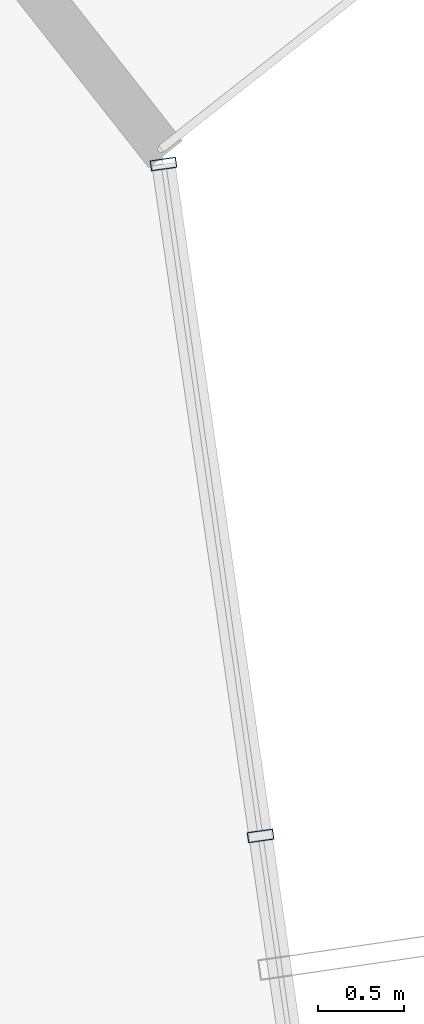
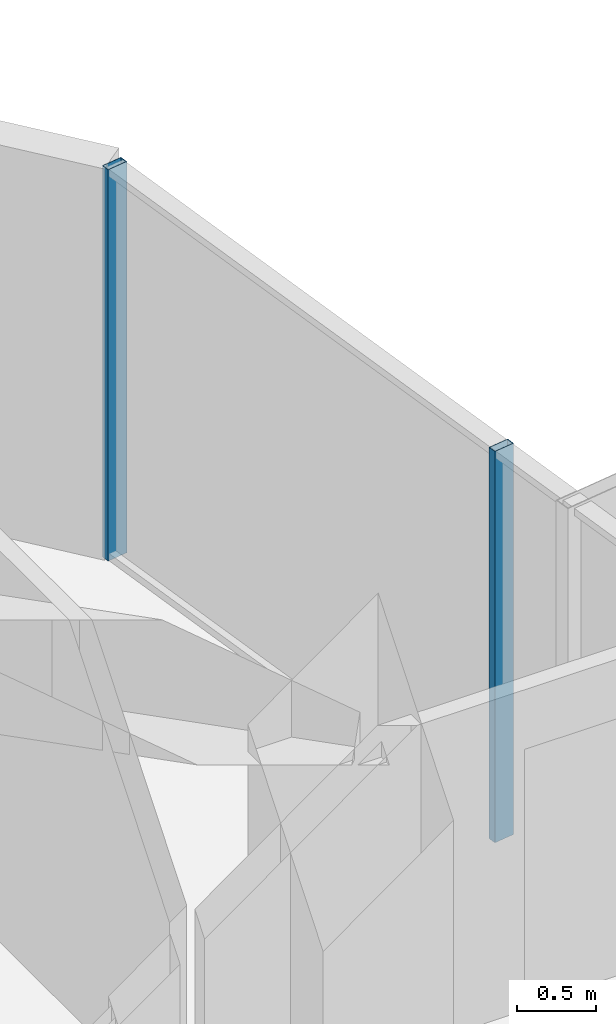
# One storey, part 19 of 31: 2 members, 1 element without a shape of its own.
"""IFC4 building model written with IfcOpenShell, lengths in metres."""

from ifc_helpers import new_model, si_unit, direction, frame, origin, origin_2d, place, context, subcontext, project, spatial, hollow_rectangle, extrude, source, transform, mapped, material, layer, layer_set, material_profile, profile_set, type_object, element, aggregate, save


model = new_model("IFC4")

# Units and contexts
model_context = context("Model", 3, precision=1e-05, world=origin(), true_north=direction((0.0, 1.0)))
body_context = subcontext(model_context, "Body", "Model", "MODEL_VIEW")
ifc_project = project(units=[si_unit("LENGTHUNIT", "METRE"), si_unit("AREAUNIT", "SQUARE_METRE"), si_unit("VOLUMEUNIT", "CUBIC_METRE"), si_unit("PLANEANGLEUNIT", "RADIAN"), si_unit("MASSUNIT", "GRAM", prefix="KILO")], contexts=[model_context])

# Site, building, storey
site_placement = place(None, origin())
site = spatial("IfcSite", under=ifc_project, at=site_placement, CompositionType="ELEMENT")
building_placement = place(site_placement, origin())
building = spatial("IfcBuilding", under=site, at=building_placement, Name="Veraguas Prism Commons", CompositionType="ELEMENT")
storey_placement = place(building_placement, frame((0.0, 0.0, 178.85009765625)))
storey = spatial("IfcBuildingStorey", under=building, at=storey_placement, Name="L50", CompositionType="ELEMENT", Elevation=178.85009765625)

# Curtain wall, members
ifc_material = material(Name="Anodised aluminium EN AW-6063 T6", Category="aluminium")
ifc_layer = layer(ifc_material, 0.14990234375, Name="Unitised Flush Curtain Wall Zone 3", Category="aluminium")
ifc_layer_set = layer_set([ifc_layer], Name="Anodised aluminium EN AW-6063 T6")
curtain_wall_type = type_object("IfcCurtainWallType", Name="Unitised Flush Curtain Wall Zone 3", PredefinedType="NOTDEFINED", material=ifc_layer_set)
curtain_wall_placement = place(storey_placement, origin())
curtain_wall = element("IfcCurtainWall", 1, at=curtain_wall_placement, inside=storey, type_object=curtain_wall_type, Name="Tower Facade Curtain Wall L50-F6", PredefinedType="NOTDEFINED")
ifc_material_profile = material_profile(ifc_material, hollow_rectangle(XDim=0.06005859375, YDim=0.14990234375, WallThickness=0.0029296875, at=origin_2d()), Name="AL60X150X3")
ifc_profile_set = profile_set([ifc_material_profile], Name="Anodised aluminium EN AW-6063 T6")
member_type = type_object("IfcMemberType", Name="Curtain Wall Mullion Upper AL 60x150x3", PredefinedType="MULLION", material=ifc_profile_set)
shared_shape = source(origin(), body_context, "Body", "SweptSolid", [
    extrude(hollow_rectangle(XDim=0.06005859375, YDim=0.14990234375, WallThickness=0.0029296875, at=origin_2d()), origin(), (0.0, 0.0, 1.0), 3.014892578125),
])
member_1_placement = place(storey_placement, frame((40.9599609375, 30.466796875, 0.0), z_axis=(0.0, 0.0, 1.0), x_axis=(-0.142972694692, 0.989726633254, 0.0)))
member_1 = element("IfcMember", 2, at=member_1_placement, type_object=member_type, Name="CW-Z3 Mullion 4", PredefinedType="MULLION", context=body_context, shape_type="MappedRepresentation", body=[
    mapped(shared_shape, transform((0.0, 0.0, 0.0), scale=1.0)),
])
member_2_placement = place(storey_placement, frame((40.395751953125, 34.371826171875, 0.0), z_axis=(0.0, 0.0, 1.0), x_axis=(-0.142972694692, 0.989726633254, 0.0)))
member_2 = element("IfcMember", 3, at=member_2_placement, type_object=member_type, Name="CW-Z3 Mullion 5", PredefinedType="MULLION", context=body_context, shape_type="MappedRepresentation", body=[
    mapped(shared_shape, transform((0.0, 0.0, 0.0), scale=1.0)),
])
aggregate(curtain_wall, [member_1, member_2])

save(model, "model.ifc")
